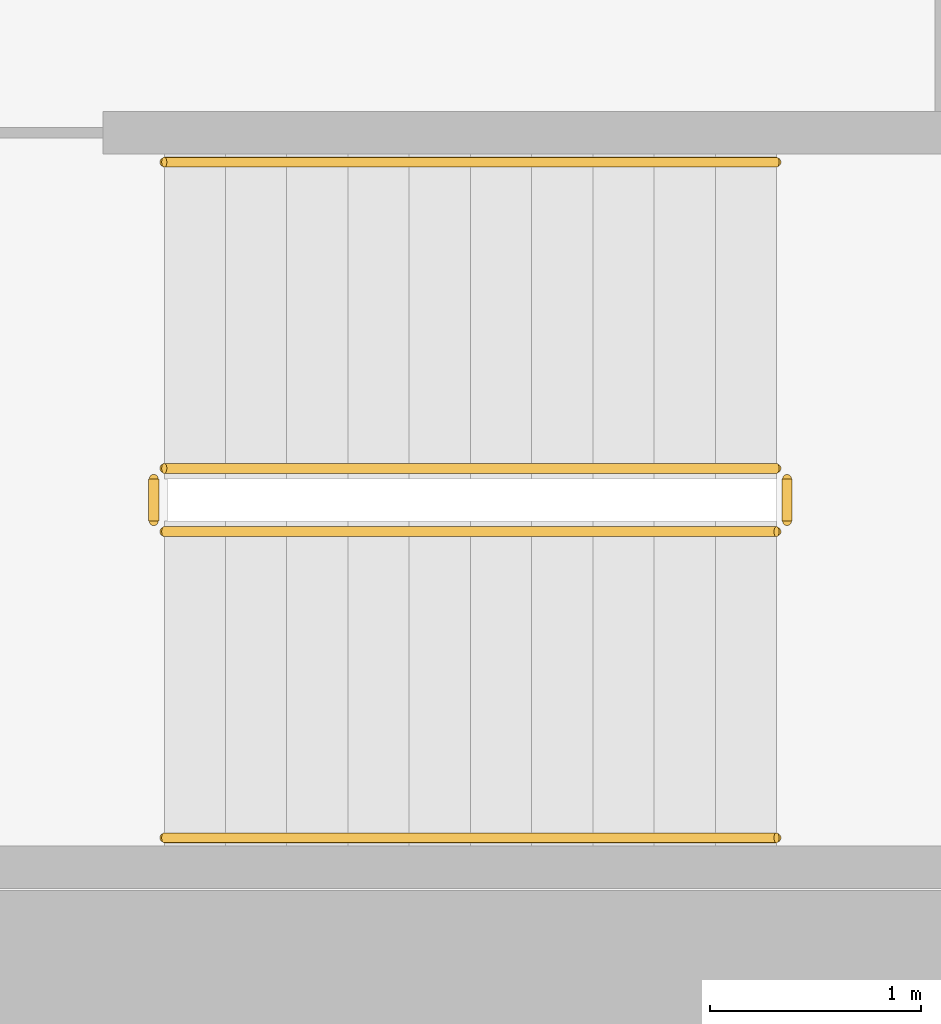
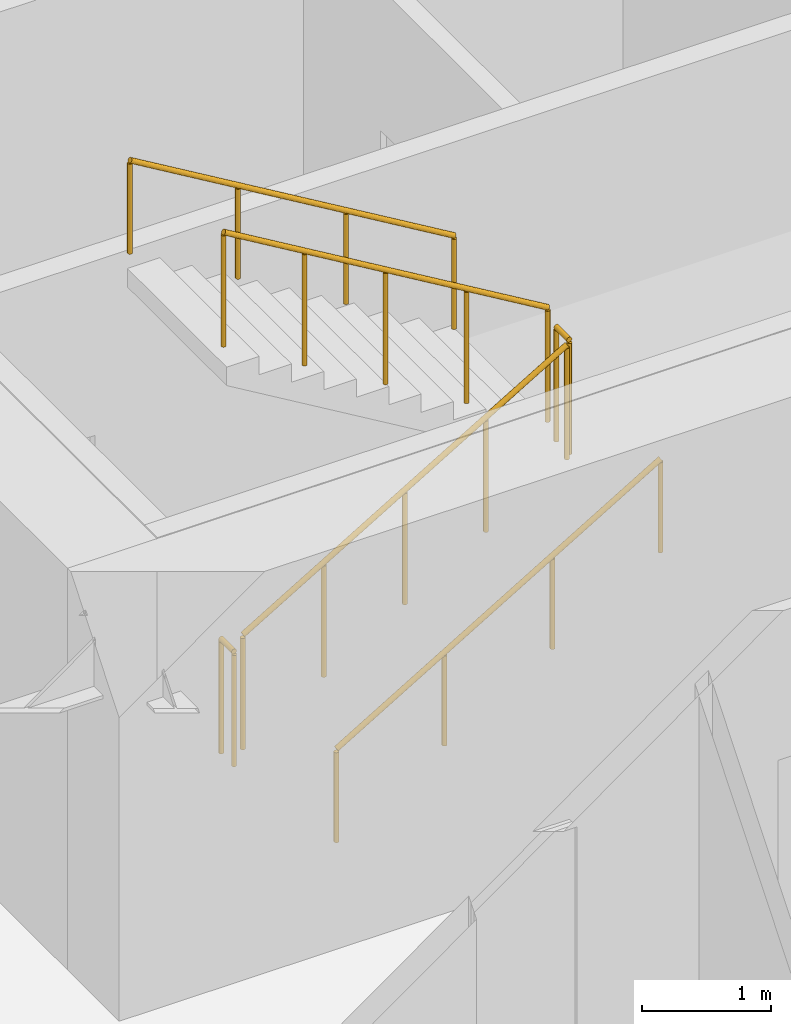
# One storey, part 18 of 21: 6 railings.
"""IFC4 building model written with IfcOpenShell, lengths in metres."""

from ifc_helpers import new_model, si_unit, direction, frame, origin, origin_2d, place, context, subcontext, project, spatial, circle, extrude, material, type_object, element, save


model = new_model("IFC4")

# Units and contexts
model_context = context("Model", 3, precision=1e-05, world=origin(), true_north=direction((0.0, 1.0)))
body_context = subcontext(model_context, "Body", "Model", "MODEL_VIEW")
ifc_project = project(units=[si_unit("LENGTHUNIT", "METRE"), si_unit("AREAUNIT", "SQUARE_METRE"), si_unit("VOLUMEUNIT", "CUBIC_METRE"), si_unit("PLANEANGLEUNIT", "RADIAN"), si_unit("MASSUNIT", "GRAM", prefix="KILO")], contexts=[model_context])

# Site, building, storey
site_placement = place(None, origin())
site = spatial("IfcSite", under=ifc_project, at=site_placement, CompositionType="ELEMENT")
building_placement = place(site_placement, origin())
building = spatial("IfcBuilding", under=site, at=building_placement, Name="Putna Gate Headquarters", CompositionType="ELEMENT")
storey_placement = place(building_placement, frame((0.0, 0.0, 39.199951171875)))
storey = spatial("IfcBuildingStorey", under=building, at=storey_placement, Name="L08", CompositionType="ELEMENT", Elevation=39.199951171875)

# Railings
ifc_material_1 = material(Name="Powder-coated steel stair guardrail", Category="steel")
railing_type_1 = type_object("IfcRailingType", Name="RAIL-STAIR-GUARD-1100", PredefinedType="GUARDRAIL", material=ifc_material_1)
railing_1_placement = place(storey_placement, frame((15.14990234375, 21.10009765625, 0.1728515625)))
element("IfcRailing", 1, at=railing_1_placement, inside=storey, type_object=railing_type_1, Name="L08 ST1 stair guard 1", PredefinedType="GUARDRAIL", context=body_context, shape_type="SweptSolid", body=[
    extrude(circle(Radius=0.02392578125, at=origin_2d()), frame((0.0, 0.0, 1.076171875), z_axis=(0.859160404282, 0.0, 0.51170636083), x_axis=(0.0, 1.0, 0.0)), (0.0, 0.0, 1.0), 3.37548828125),
    extrude(circle(Radius=0.02099609375, at=origin_2d()), origin(), (0.0, 0.0, 1.0), 1.052001953125),
    extrude(circle(Radius=0.02099609375, at=origin_2d()), frame((0.72509765625, 0.0, 0.431884765625)), (0.0, 0.0, 1.0), 1.052001953125),
    extrude(circle(Radius=0.02099609375, at=origin_2d()), frame((1.4501953125, 0.0, 0.86376953125)), (0.0, 0.0, 1.0), 1.052001953125),
    extrude(circle(Radius=0.02099609375, at=origin_2d()), frame((2.175048828125, 0.0, 1.29541015625)), (0.0, 0.0, 1.0), 1.052001953125),
    extrude(circle(Radius=0.02099609375, at=origin_2d()), frame((2.900146484375, 0.0, 1.727294921875)), (0.0, 0.0, 1.0), 1.052001953125),
])
railing_2_placement = place(storey_placement, frame((18.10009765625, 21.14990234375, 1.900146484375)))
element("IfcRailing", 2, at=railing_2_placement, inside=storey, type_object=railing_type_1, Name="L08 ST1 stair guard 2", PredefinedType="GUARDRAIL", context=body_context, shape_type="SweptSolid", body=[
    extrude(circle(Radius=0.02392578125, at=origin_2d()), frame((0.0, 0.0, 1.076171875), z_axis=(0.0, 1.0, 0.0), x_axis=(-1.0, 0.0, 0.0)), (0.0, 0.0, 1.0), 0.2001953125),
    extrude(circle(Radius=0.02099609375, at=origin_2d()), origin(), (0.0, 0.0, 1.0), 1.052001953125),
    extrude(circle(Radius=0.02099609375, at=origin_2d()), frame((0.0, 0.2001953125, 0.0)), (0.0, 0.0, 1.0), 1.052001953125),
])
railing_3_placement = place(storey_placement, frame((18.050048828125, 21.39990234375, 2.07275390625)))
element("IfcRailing", 3, at=railing_3_placement, inside=storey, type_object=railing_type_1, Name="L08 ST1 stair guard 3", PredefinedType="GUARDRAIL", context=body_context, shape_type="SweptSolid", body=[
    extrude(circle(Radius=0.02392578125, at=origin_2d()), frame((0.0, 0.0, 1.076171875), z_axis=(-0.859160404282, 0.0, 0.51170636083), x_axis=(0.0, -1.0, 0.0)), (0.0, 0.0, 1.0), 3.37548828125),
    extrude(circle(Radius=0.02099609375, at=origin_2d()), origin(), (0.0, 0.0, 1.0), 1.052001953125),
    extrude(circle(Radius=0.02099609375, at=origin_2d()), frame((-0.72509765625, 0.0, 0.431884765625)), (0.0, 0.0, 1.0), 1.052001953125),
    extrude(circle(Radius=0.02099609375, at=origin_2d()), frame((-1.4501953125, 0.0, 0.86376953125)), (0.0, 0.0, 1.0), 1.052001953125),
    extrude(circle(Radius=0.02099609375, at=origin_2d()), frame((-2.175048828125, 0.0, 1.29541015625)), (0.0, 0.0, 1.0), 1.052001953125),
    extrude(circle(Radius=0.02099609375, at=origin_2d()), frame((-2.900146484375, 0.0, 1.727294921875)), (0.0, 0.0, 1.0), 1.052001953125),
])
railing_4_placement = place(storey_placement, frame((15.10009765625, 21.14990234375, 0.0)))
element("IfcRailing", 4, at=railing_4_placement, inside=storey, type_object=railing_type_1, Name="L08 ST1 stair guard 4", PredefinedType="GUARDRAIL", context=body_context, shape_type="SweptSolid", body=[
    extrude(circle(Radius=0.02392578125, at=origin_2d()), frame((0.0, 0.0, 1.076171875), z_axis=(0.0, 1.0, 0.0), x_axis=(-1.0, 0.0, 0.0)), (0.0, 0.0, 1.0), 0.2001953125),
    extrude(circle(Radius=0.02099609375, at=origin_2d()), origin(), (0.0, 0.0, 1.0), 1.052001953125),
    extrude(circle(Radius=0.02099609375, at=origin_2d()), frame((0.0, 0.2001953125, 0.0)), (0.0, 0.0, 1.0), 1.052001953125),
])
ifc_material_2 = material(Name="Brushed stainless steel handrail", Category="steel")
railing_type_2 = type_object("IfcRailingType", Name="RAIL-STAIR-HAND-900", PredefinedType="HANDRAIL", material=ifc_material_2)
railing_5_placement = place(storey_placement, frame((15.14990234375, 19.64990234375, 0.1728515625)))
element("IfcRailing", 5, at=railing_5_placement, inside=storey, type_object=railing_type_2, Name="L08 ST1 stair handrail 1", PredefinedType="HANDRAIL", context=body_context, shape_type="SweptSolid", body=[
    extrude(circle(Radius=0.02392578125, at=origin_2d()), frame((0.0, 0.0, 0.8759765625), z_axis=(0.859160404282, 0.0, 0.51170636083), x_axis=(0.0, 1.0, 0.0)), (0.0, 0.0, 1.0), 3.37548828125),
    extrude(circle(Radius=0.02099609375, at=origin_2d()), origin(), (0.0, 0.0, 1.0), 0.851806640625),
    extrude(circle(Radius=0.02099609375, at=origin_2d()), frame((0.966796875, 0.0, 0.57568359375)), (0.0, 0.0, 1.0), 0.851806640625),
    extrude(circle(Radius=0.02099609375, at=origin_2d()), frame((1.933349609375, 0.0, 1.151611328125)), (0.0, 0.0, 1.0), 0.851806640625),
    extrude(circle(Radius=0.02099609375, at=origin_2d()), frame((2.900146484375, 0.0, 1.727294921875)), (0.0, 0.0, 1.0), 0.851806640625),
])
railing_6_placement = place(storey_placement, frame((18.050048828125, 22.85009765625, 2.07275390625)))
element("IfcRailing", 6, at=railing_6_placement, inside=storey, type_object=railing_type_2, Name="L08 ST1 stair handrail 2", PredefinedType="HANDRAIL", context=body_context, shape_type="SweptSolid", body=[
    extrude(circle(Radius=0.02392578125, at=origin_2d()), frame((0.0, 0.0, 0.8759765625), z_axis=(-0.859160404282, 0.0, 0.51170636083), x_axis=(0.0, -1.0, 0.0)), (0.0, 0.0, 1.0), 3.37548828125),
    extrude(circle(Radius=0.02099609375, at=origin_2d()), origin(), (0.0, 0.0, 1.0), 0.851806640625),
    extrude(circle(Radius=0.02099609375, at=origin_2d()), frame((-0.966796875, 0.0, 0.57568359375)), (0.0, 0.0, 1.0), 0.851806640625),
    extrude(circle(Radius=0.02099609375, at=origin_2d()), frame((-1.933349609375, 0.0, 1.151611328125)), (0.0, 0.0, 1.0), 0.851806640625),
    extrude(circle(Radius=0.02099609375, at=origin_2d()), frame((-2.900146484375, 0.0, 1.727294921875)), (0.0, 0.0, 1.0), 0.851806640625),
])

save(model, "model.ifc")
